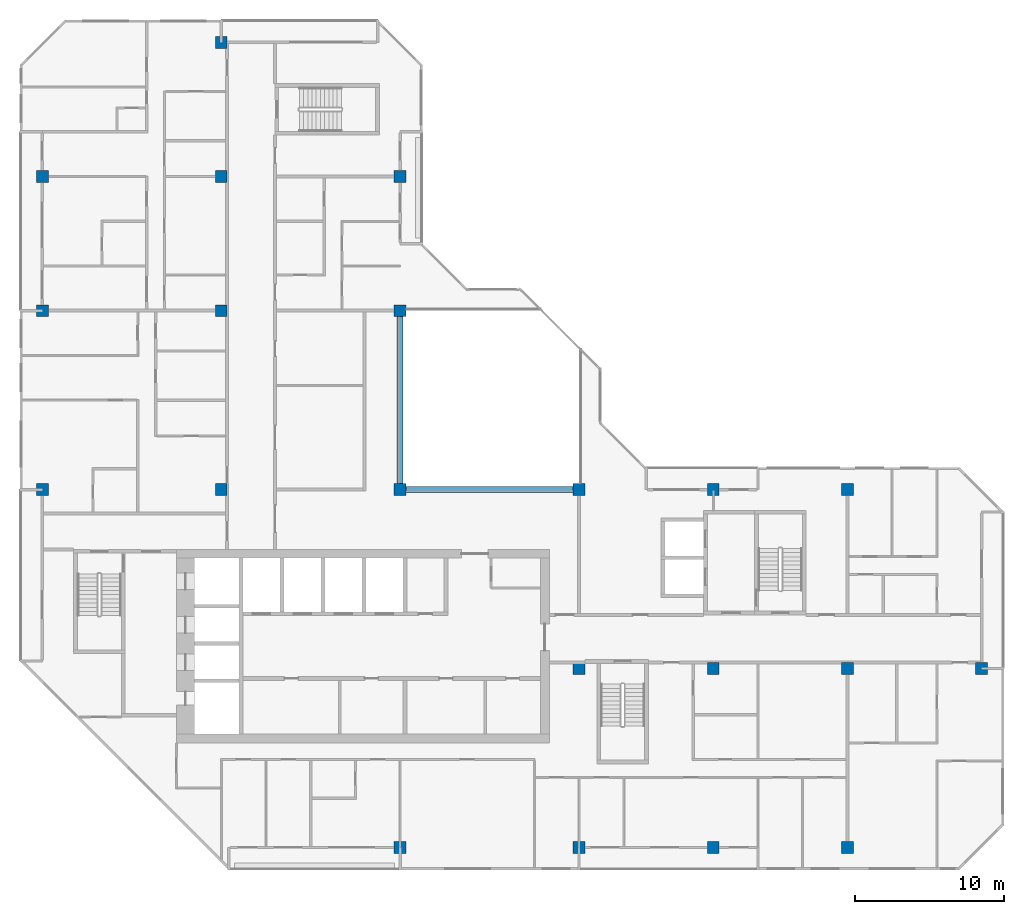
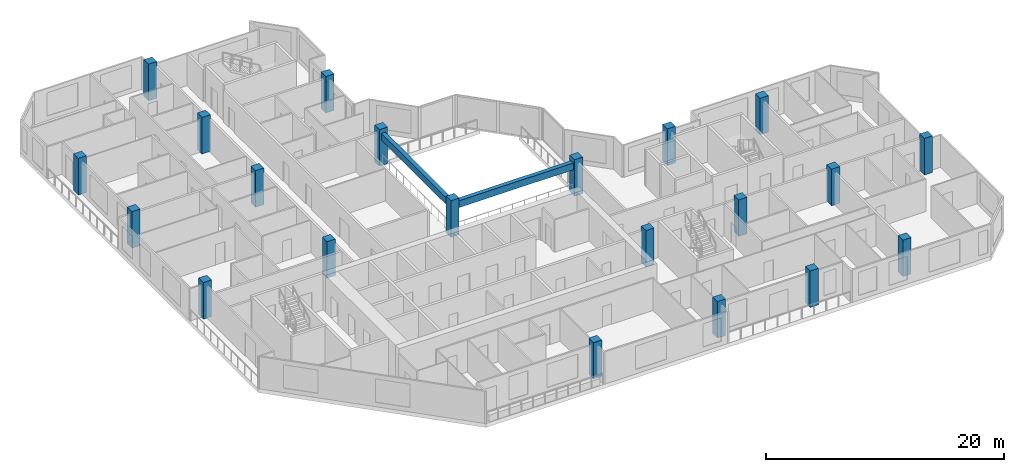
# One storey, part 1 of 13: 21 columns, 2 beams.
"""IFC4 building model written with IfcOpenShell, lengths in metres."""

import ifcopenshell
import ifcopenshell.guid

model = None  # the IFC model being written
_history = None  # IfcOwnerHistory: only IFC2X3 demands one
_inside = {}  # id of a spatial element -> (the spatial element, [elements in it])
_under = {}  # id of a project, library or spatial element -> (it, [spatial elements below it])
_declared = {}  # id of a project -> (the project, [libraries it declares])
_typed = {}  # id of a type object -> (the type object, [elements of that type])
_made_of = {}  # id of a material, layer set ... -> (it, [elements and type objects made of it])


def new_model(schema):
    """Start an empty IFC model of exactly this schema.

    Asked for "IFC4X3", IfcOpenShell would pick the latest addendum, in which some entities
    have other attributes; the version numbers below select the first issue.
    IFC2X3 requires an IfcOwnerHistory on every rooted entity: one is made here for all.
    """
    global model, _history
    if schema == "IFC4X3":
        model = ifcopenshell.file(schema_version=(4, 3, 0, 0))
    else:
        model = ifcopenshell.file(schema=schema)
    _inside.clear()
    _under.clear()
    _declared.clear()
    _typed.clear()
    _made_of.clear()
    _history = None
    if model.schema == "IFC2X3":
        org = make("IfcOrganization", Name="unknown")
        user = make(
            "IfcPersonAndOrganization",
            ThePerson=make("IfcPerson", FamilyName="unknown"),
            TheOrganization=org,
        )
        app = make(
            "IfcApplication",
            ApplicationDeveloper=org,
            Version="unknown",
            ApplicationFullName="unknown",
            ApplicationIdentifier="unknown",
        )
        _history = make(
            "IfcOwnerHistory",
            OwningUser=user,
            OwningApplication=app,
            ChangeAction="ADDED",
            CreationDate=0,
        )
    return model


def make(cls, **values):
    """One entity of the class cls with the attributes given. An attribute that is None is left unset."""
    return model.create_entity(
        cls, **{name: value for name, value in values.items() if value is not None}
    )


def rooted(cls, **values):
    """An entity with a GlobalId (a new one), such as an element, a storey or a relation."""
    return make(cls, GlobalId=ifcopenshell.guid.new(), OwnerHistory=_history, **values)


def si_unit(unit_type, name, prefix=None):
    """IfcSIUnit, for example si_unit("LENGTHUNIT", "METRE", prefix="MILLI")."""
    return make("IfcSIUnit", UnitType=unit_type, Prefix=prefix, Name=name)


def assignment(units):
    """IfcUnitAssignment: the units of a project."""
    return None if units is None else make("IfcUnitAssignment", Units=units)


def point(xyz):
    """IfcCartesianPoint."""
    return None if xyz is None else make("IfcCartesianPoint", Coordinates=xyz)


def direction(xyz):
    """IfcDirection."""
    return None if xyz is None else make("IfcDirection", DirectionRatios=xyz)


def frame(location, z_axis=None, x_axis=None):
    """IfcAxis2Placement3D, a coordinate frame: its origin and axes. An axis left out is left unset."""
    return make(
        "IfcAxis2Placement3D",
        Location=point(location),
        Axis=direction(z_axis),
        RefDirection=direction(x_axis),
    )


def frame_2d(location, x_axis=None):
    """IfcAxis2Placement2D, a coordinate frame in the plane: its origin and x axis."""
    return make(
        "IfcAxis2Placement2D", Location=point(location), RefDirection=direction(x_axis)
    )


def origin():
    """The frame at (0, 0, 0) with its axes left unset."""
    return frame((0.0, 0.0, 0.0))


def origin_2d():
    """The frame at (0, 0) in the plane with its x axis left unset."""
    return frame_2d((0.0, 0.0))


def place(relative_to, where):
    """IfcLocalPlacement: puts the frame where relative to a parent placement (None: the world)."""
    return make(
        "IfcLocalPlacement", PlacementRelTo=relative_to, RelativePlacement=where
    )


def context(
    kind, dimensions, precision=None, world=None, true_north=None, identifier=None
):
    """IfcGeometricRepresentationContext, for example the 3D "Model" context."""
    return make(
        "IfcGeometricRepresentationContext",
        ContextIdentifier=identifier,
        ContextType=kind,
        CoordinateSpaceDimension=dimensions,
        Precision=precision,
        WorldCoordinateSystem=world,
        TrueNorth=true_north,
    )


def subcontext(parent, identifier, kind, view, scale=None):
    """IfcGeometricRepresentationSubContext, for example "Body" below "Model"."""
    return make(
        "IfcGeometricRepresentationSubContext",
        ContextIdentifier=identifier,
        ContextType=kind,
        ParentContext=parent,
        TargetScale=scale,
        TargetView=view,
    )


def project(units=None, contexts=None):
    """IfcProject with its units and contexts."""
    return rooted(
        "IfcProject",
        Name="project",
        RepresentationContexts=contexts,
        UnitsInContext=assignment(units),
    )


def spatial(cls, under=None, at=None, **own):
    """A site, building, storey or space (cls), placed at a placement, below another one or the project."""
    s = rooted(cls, ObjectPlacement=at, **own)
    if under is not None:
        _under.setdefault(under.id(), (under, []))[1].append(s)
    return s


def profile(cls, at=None, kind="AREA", **sizes):
    """A parametric profile (cls). Its sizes go by their IFC names, for example OverallWidth=200.0."""
    return make(cls, ProfileType=kind, Position=at, **sizes)


def rectangle(**sizes):
    """IfcRectangleProfileDef."""
    return profile("IfcRectangleProfileDef", **sizes)


def extrude(swept, where, along, depth):
    """IfcExtrudedAreaSolid: the profile swept, set in the frame where, extruded along a direction by depth."""
    return make(
        "IfcExtrudedAreaSolid",
        SweptArea=swept,
        Position=where,
        ExtrudedDirection=direction(along),
        Depth=depth,
    )


def shape(context_of_items, identifier, shape_type, items):
    """IfcShapeRepresentation: the items that make up one representation, for example the "Body"."""
    return make(
        "IfcShapeRepresentation",
        ContextOfItems=context_of_items,
        RepresentationIdentifier=identifier,
        RepresentationType=shape_type,
        Items=items,
    )


def material(Name=None, Category=None):
    """IfcMaterial."""
    return make("IfcMaterial", Name=Name, Category=Category)


def material_profile(
    of_material, cross_section, Name=None, Category=None, Priority=None
):
    """IfcMaterialProfile: a cross section and its material."""
    return make(
        "IfcMaterialProfile",
        Name=Name,
        Material=of_material,
        Profile=cross_section,
        Priority=Priority,
        Category=Category,
    )


def profile_set(profiles, Name=None, composite=None):
    """IfcMaterialProfileSet."""
    return make(
        "IfcMaterialProfileSet",
        Name=Name,
        MaterialProfiles=profiles,
        CompositeProfile=composite,
    )


def made_of(thing, what):
    """Note that an element or type object is made of a material, layer set ...; save() writes the relation."""
    if what is not None:
        _made_of.setdefault(what.id(), (what, []))[1].append(thing)
    return thing


def type_object(cls, material=None, **own):
    """A type object (cls), such as IfcWallType, which elements share."""
    return made_of(rooted(cls, **own), material)


def element(
    cls,
    number,
    at=None,
    inside=None,
    cuts=None,
    type_object=None,
    material=None,
    context=None,
    identifier="Body",
    shape_type=None,
    held_by="IfcProductDefinitionShape",
    body=None,
    shapes=None,
    **own,
):
    """One element of the class cls, such as IfcWall. Its Tag is "e" and its number.

    at: its placement. inside: the storey or other place that contains it. cuts: it is an
    opening in that element (IfcRelVoidsElement). A single representation is given by context,
    identifier, shape_type and body (its items); several are given by shapes. held_by: the class
    of the entity that holds the representations. save() writes the other relations.
    """
    e = rooted(cls, Tag="e%d" % number, ObjectPlacement=at, **own)
    if body is not None:
        shapes = [shape(context, identifier, shape_type, body)]
    if shapes is not None:
        e.Representation = make(held_by, Representations=shapes)
    if inside is not None:
        _inside.setdefault(inside.id(), (inside, []))[1].append(e)
    if cuts is not None:
        rooted(
            "IfcRelVoidsElement", RelatingBuildingElement=cuts, RelatedOpeningElement=e
        )
    if type_object is not None:
        _typed.setdefault(type_object.id(), (type_object, []))[1].append(e)
    return made_of(e, material)


def aggregate(whole, parts):
    """IfcRelAggregates: a whole, such as a stair, and the parts it consists of."""
    return rooted("IfcRelAggregates", RelatingObject=whole, RelatedObjects=parts)


def save(model, path):
    """Write the relations noted so far, then the file.

    IfcRelAggregates (storeys below a building ...), IfcRelContainedInSpatialStructure (elements
    in a storey), IfcRelDefinesByType, IfcRelAssociatesMaterial and IfcRelDeclares: one each for
    every whole, place, type object, material and project.
    """
    for whole, parts in _under.values():
        aggregate(whole, parts)
    for where, things in _inside.values():
        rooted(
            "IfcRelContainedInSpatialStructure",
            RelatedElements=things,
            RelatingStructure=where,
        )
    for kind, things in _typed.values():
        rooted("IfcRelDefinesByType", RelatedObjects=things, RelatingType=kind)
    for what, things in _made_of.values():
        rooted("IfcRelAssociatesMaterial", RelatedObjects=things, RelatingMaterial=what)
    for by, libraries in _declared.values():
        rooted("IfcRelDeclares", RelatingContext=by, RelatedDefinitions=libraries)
    model.write(path)


model = new_model("IFC4")

# Units and contexts
model_context = context("Model", 3, precision=1e-05, world=origin(), true_north=direction((0.0, 1.0)))
body_context = subcontext(model_context, "Body", "Model", "MODEL_VIEW")
ifc_project = project(units=[si_unit("LENGTHUNIT", "METRE"), si_unit("AREAUNIT", "SQUARE_METRE"), si_unit("VOLUMEUNIT", "CUBIC_METRE"), si_unit("PLANEANGLEUNIT", "RADIAN"), si_unit("MASSUNIT", "GRAM", prefix="KILO")], contexts=[model_context])

# Site, building, storey
site_placement = place(None, origin())
site = spatial("IfcSite", under=ifc_project, at=site_placement, CompositionType="ELEMENT")
building_placement = place(site_placement, origin())
building = spatial("IfcBuilding", under=site, at=building_placement, Name="Chenar Terraces", CompositionType="ELEMENT")
storey_placement = place(building_placement, frame((0.0, 0.0, 318.39990234375)))
storey = spatial("IfcBuildingStorey", under=building, at=storey_placement, Name="L75", CompositionType="ELEMENT", Elevation=318.39990234375)

# Columns
ifc_material_1 = material(Name="Concrete C50/60", Category="concrete")
ifc_material_profile_1 = material_profile(ifc_material_1, rectangle(XDim=0.800048828125, YDim=0.800048828125, at=origin_2d()), Name="C 800 x 800")
ifc_profile_set_1 = profile_set([ifc_material_profile_1], Name="Concrete C50/60")
column_type = type_object("IfcColumnType", Name="Column C 800 x 800 Concrete C50/60", PredefinedType="COLUMN", material=ifc_profile_set_1)
column_1_placement = place(storey_placement, frame((0.0, 24.0, 0.0), z_axis=(0.0, 0.0, 1.0), x_axis=(1.0, 0.0, 0.0)))
element("IfcColumn", 1, at=column_1_placement, inside=storey, type_object=column_type, Name="Column 5/G L75", PredefinedType="COLUMN", context=body_context, shape_type="SweptSolid", body=[
    extrude(rectangle(XDim=0.800048828125, YDim=0.800048828125, at=origin_2d()), origin(), (0.0, 0.0, 1.0), 3.75),
])
column_2_placement = place(storey_placement, frame((0.0, 36.0, 0.0), z_axis=(0.0, 0.0, 1.0), x_axis=(1.0, 0.0, 0.0)))
element("IfcColumn", 2, at=column_2_placement, inside=storey, type_object=column_type, Name="Column 5/H L75", PredefinedType="COLUMN", context=body_context, shape_type="SweptSolid", body=[
    extrude(rectangle(XDim=0.800048828125, YDim=0.800048828125, at=origin_2d()), origin(), (0.0, 0.0, 1.0), 3.75),
])
for number, where, z_axis, x_axis, name in (
    (3, (0.0, 45.0, 0.0), (0.0, 0.0, 1.0), (1.0, 0.0, 0.0), "Column 5/J L75"),
    (4, (12.0, 24.0, 0.0), (0.0, 0.0, 1.0), (1.0, 0.0, 0.0), "Column 6/G L75"),
    (5, (12.0, 36.0, 0.0), (0.0, 0.0, 1.0), (1.0, 0.0, 0.0), "Column 6/H L75"),
    (6, (12.0, 45.0, 0.0), (0.0, 0.0, 1.0), (1.0, 0.0, 0.0), "Column 6/J L75"),
    (7, (12.0, 54.0, 0.0), (0.0, 0.0, 1.0), (1.0, 0.0, 0.0), "Column 6/K L75"),
    (8, (24.0, 0.0, 0.0), (0.0, 0.0, 1.0), (1.0, 0.0, 0.0), "Column 7/E L75"),
    (9, (24.0, 24.0, 0.0), (0.0, 0.0, 1.0), (1.0, 0.0, 0.0), "Column 7/G L75"),
    (10, (24.0, 36.0, 0.0), (0.0, 0.0, 1.0), (1.0, 0.0, 0.0), "Column 7/H L75"),
    (11, (24.0, 45.0, 0.0), (0.0, 0.0, 1.0), (1.0, 0.0, 0.0), "Column 7/J L75"),
    (12, (36.0, 0.0, 0.0), (0.0, 0.0, 1.0), (1.0, 0.0, 0.0), "Column 8/E L75"),
    (13, (36.0, 12.0, 0.0), (0.0, 0.0, 1.0), (1.0, 0.0, 0.0), "Column 8/F L75"),
    (14, (36.0, 24.0, 0.0), (0.0, 0.0, 1.0), (1.0, 0.0, 0.0), "Column 8/G L75"),
    (15, (45.0, 0.0, 0.0), (0.0, 0.0, 1.0), (1.0, 0.0, 0.0), "Column 9/E L75"),
    (16, (45.0, 12.0, 0.0), (0.0, 0.0, 1.0), (1.0, 0.0, 0.0), "Column 9/F L75"),
    (17, (45.0, 24.0, 0.0), (0.0, 0.0, 1.0), (1.0, 0.0, 0.0), "Column 9/G L75"),
    (18, (54.0, 0.0, 0.0), (0.0, 0.0, 1.0), (1.0, 0.0, 0.0), "Column 10/E L75"),
    (19, (54.0, 12.0, 0.0), (0.0, 0.0, 1.0), (1.0, 0.0, 0.0), "Column 10/F L75"),
    (20, (54.0, 24.0, 0.0), (0.0, 0.0, 1.0), (1.0, 0.0, 0.0), "Column 10/G L75"),
    (21, (63.0, 12.0, 0.0), (0.0, 0.0, 1.0), (1.0, 0.0, 0.0), "Column 11/F L75"),
):
    element("IfcColumn", number, at=place(storey_placement, frame(where, z_axis=z_axis, x_axis=x_axis)), inside=storey, type_object=column_type, Name=name, PredefinedType="COLUMN", context=body_context, shape_type="SweptSolid", body=[
        extrude(rectangle(XDim=0.800048828125, YDim=0.800048828125, at=origin_2d()), origin(), (0.0, 0.0, 1.0), 3.75),
    ])

# Beams
ifc_material_2 = material(Name="Concrete C40/50", Category="concrete")
ifc_material_profile_2 = material_profile(ifc_material_2, rectangle(XDim=0.39990234375, YDim=0.699951171875, at=origin_2d()), Name="RC 400 x 700")
ifc_profile_set_2 = profile_set([ifc_material_profile_2], Name="Concrete C40/50")
beam_type = type_object("IfcBeamType", Name="Atrium edge beam 400 x 700 Concrete C40/50", PredefinedType="BEAM", material=ifc_profile_set_2)
for number, where, z_axis, x_axis, name in (
    (22, (24.39990234375, 24.0, 2.9501953125), (1.0, 0.0, 0.0), (0.0, 1.0, 0.0), "Atrium edge beam L76 1"),
    (23, (24.0, 35.60009765625, 2.9501953125), (0.0, -1.0, 0.0), (1.0, 0.0, 0.0), "Atrium edge beam L76 4"),
):
    element("IfcBeam", number, at=place(storey_placement, frame(where, z_axis=z_axis, x_axis=x_axis)), inside=storey, type_object=beam_type, Name=name, PredefinedType="BEAM", context=body_context, shape_type="SweptSolid", body=[
        extrude(rectangle(XDim=0.39990234375, YDim=0.699951171875, at=origin_2d()), origin(), (0.0, 0.0, 1.0), 11.2001953125),
    ])

save(model, "model.ifc")
